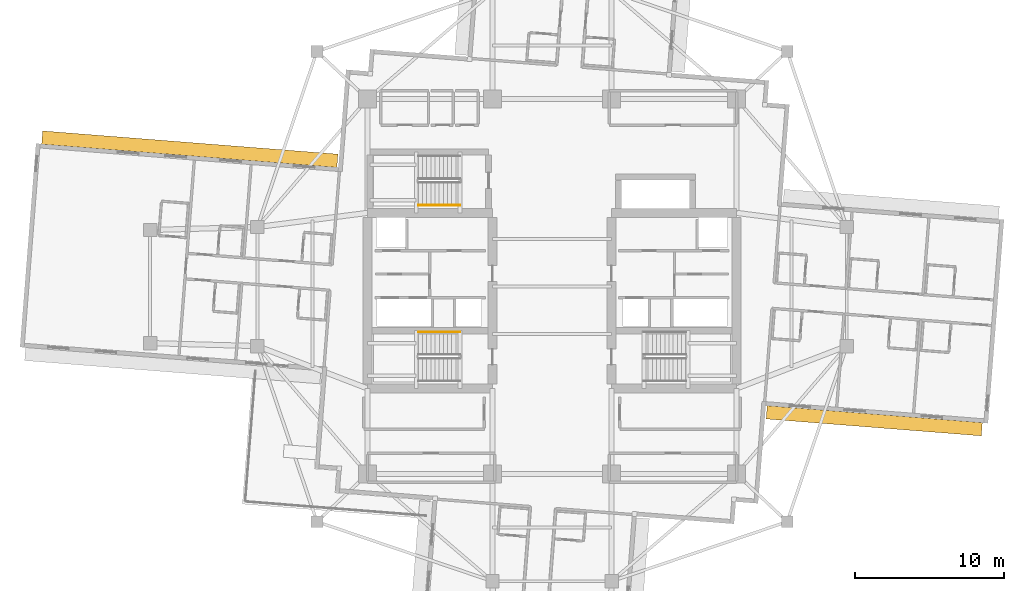
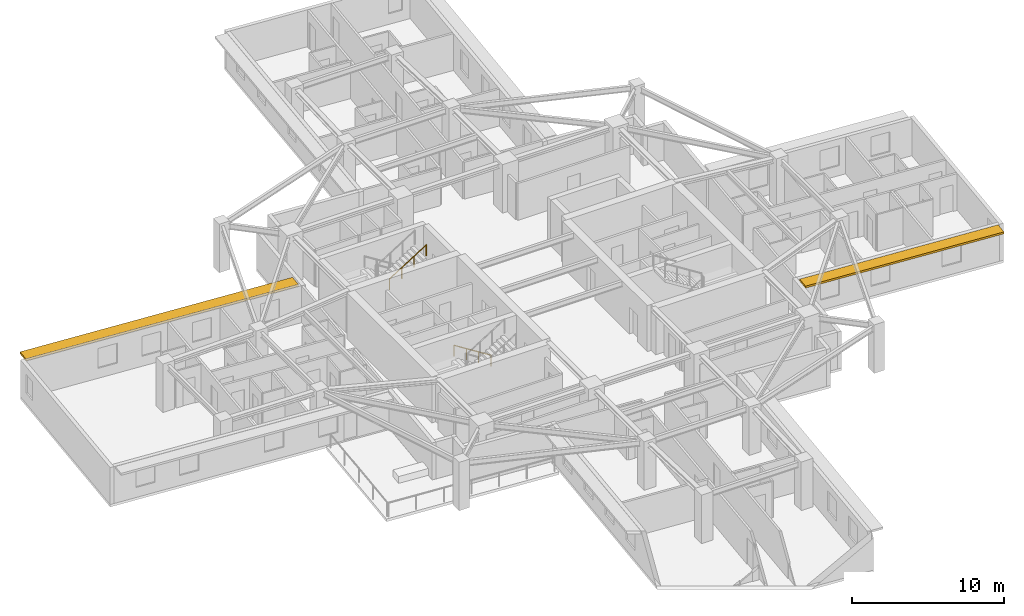
# One storey, part 12 of 14: 2 railings, 2 shading devices.
"""IFC4 building model written with IfcOpenShell, lengths in metres."""

import ifcopenshell
import ifcopenshell.guid

model = None  # the IFC model being written
_history = None  # IfcOwnerHistory: only IFC2X3 demands one
_inside = {}  # id of a spatial element -> (the spatial element, [elements in it])
_under = {}  # id of a project, library or spatial element -> (it, [spatial elements below it])
_declared = {}  # id of a project -> (the project, [libraries it declares])
_typed = {}  # id of a type object -> (the type object, [elements of that type])
_made_of = {}  # id of a material, layer set ... -> (it, [elements and type objects made of it])


def new_model(schema):
    """Start an empty IFC model of exactly this schema.

    Asked for "IFC4X3", IfcOpenShell would pick the latest addendum, in which some entities
    have other attributes; the version numbers below select the first issue.
    IFC2X3 requires an IfcOwnerHistory on every rooted entity: one is made here for all.
    """
    global model, _history
    if schema == "IFC4X3":
        model = ifcopenshell.file(schema_version=(4, 3, 0, 0))
    else:
        model = ifcopenshell.file(schema=schema)
    _inside.clear()
    _under.clear()
    _declared.clear()
    _typed.clear()
    _made_of.clear()
    _history = None
    if model.schema == "IFC2X3":
        org = make("IfcOrganization", Name="unknown")
        user = make(
            "IfcPersonAndOrganization",
            ThePerson=make("IfcPerson", FamilyName="unknown"),
            TheOrganization=org,
        )
        app = make(
            "IfcApplication",
            ApplicationDeveloper=org,
            Version="unknown",
            ApplicationFullName="unknown",
            ApplicationIdentifier="unknown",
        )
        _history = make(
            "IfcOwnerHistory",
            OwningUser=user,
            OwningApplication=app,
            ChangeAction="ADDED",
            CreationDate=0,
        )
    return model


def make(cls, **values):
    """One entity of the class cls with the attributes given. An attribute that is None is left unset."""
    return model.create_entity(
        cls, **{name: value for name, value in values.items() if value is not None}
    )


def rooted(cls, **values):
    """An entity with a GlobalId (a new one), such as an element, a storey or a relation."""
    return make(cls, GlobalId=ifcopenshell.guid.new(), OwnerHistory=_history, **values)


def si_unit(unit_type, name, prefix=None):
    """IfcSIUnit, for example si_unit("LENGTHUNIT", "METRE", prefix="MILLI")."""
    return make("IfcSIUnit", UnitType=unit_type, Prefix=prefix, Name=name)


def assignment(units):
    """IfcUnitAssignment: the units of a project."""
    return None if units is None else make("IfcUnitAssignment", Units=units)


def point(xyz):
    """IfcCartesianPoint."""
    return None if xyz is None else make("IfcCartesianPoint", Coordinates=xyz)


def direction(xyz):
    """IfcDirection."""
    return None if xyz is None else make("IfcDirection", DirectionRatios=xyz)


def frame(location, z_axis=None, x_axis=None):
    """IfcAxis2Placement3D, a coordinate frame: its origin and axes. An axis left out is left unset."""
    return make(
        "IfcAxis2Placement3D",
        Location=point(location),
        Axis=direction(z_axis),
        RefDirection=direction(x_axis),
    )


def frame_2d(location, x_axis=None):
    """IfcAxis2Placement2D, a coordinate frame in the plane: its origin and x axis."""
    return make(
        "IfcAxis2Placement2D", Location=point(location), RefDirection=direction(x_axis)
    )


def origin():
    """The frame at (0, 0, 0) with its axes left unset."""
    return frame((0.0, 0.0, 0.0))


def origin_2d():
    """The frame at (0, 0) in the plane with its x axis left unset."""
    return frame_2d((0.0, 0.0))


def place(relative_to, where):
    """IfcLocalPlacement: puts the frame where relative to a parent placement (None: the world)."""
    return make(
        "IfcLocalPlacement", PlacementRelTo=relative_to, RelativePlacement=where
    )


def context(
    kind, dimensions, precision=None, world=None, true_north=None, identifier=None
):
    """IfcGeometricRepresentationContext, for example the 3D "Model" context."""
    return make(
        "IfcGeometricRepresentationContext",
        ContextIdentifier=identifier,
        ContextType=kind,
        CoordinateSpaceDimension=dimensions,
        Precision=precision,
        WorldCoordinateSystem=world,
        TrueNorth=true_north,
    )


def subcontext(parent, identifier, kind, view, scale=None):
    """IfcGeometricRepresentationSubContext, for example "Body" below "Model"."""
    return make(
        "IfcGeometricRepresentationSubContext",
        ContextIdentifier=identifier,
        ContextType=kind,
        ParentContext=parent,
        TargetScale=scale,
        TargetView=view,
    )


def project(units=None, contexts=None):
    """IfcProject with its units and contexts."""
    return rooted(
        "IfcProject",
        Name="project",
        RepresentationContexts=contexts,
        UnitsInContext=assignment(units),
    )


def spatial(cls, under=None, at=None, **own):
    """A site, building, storey or space (cls), placed at a placement, below another one or the project."""
    s = rooted(cls, ObjectPlacement=at, **own)
    if under is not None:
        _under.setdefault(under.id(), (under, []))[1].append(s)
    return s


def profile(cls, at=None, kind="AREA", **sizes):
    """A parametric profile (cls). Its sizes go by their IFC names, for example OverallWidth=200.0."""
    return make(cls, ProfileType=kind, Position=at, **sizes)


def rectangle(**sizes):
    """IfcRectangleProfileDef."""
    return profile("IfcRectangleProfileDef", **sizes)


def circle(**sizes):
    """IfcCircleProfileDef."""
    return profile("IfcCircleProfileDef", **sizes)


def extrude(swept, where, along, depth):
    """IfcExtrudedAreaSolid: the profile swept, set in the frame where, extruded along a direction by depth."""
    return make(
        "IfcExtrudedAreaSolid",
        SweptArea=swept,
        Position=where,
        ExtrudedDirection=direction(along),
        Depth=depth,
    )


def shape(context_of_items, identifier, shape_type, items):
    """IfcShapeRepresentation: the items that make up one representation, for example the "Body"."""
    return make(
        "IfcShapeRepresentation",
        ContextOfItems=context_of_items,
        RepresentationIdentifier=identifier,
        RepresentationType=shape_type,
        Items=items,
    )


def material(Name=None, Category=None):
    """IfcMaterial."""
    return make("IfcMaterial", Name=Name, Category=Category)


def layer(
    of_material, thickness, ventilated=None, Name=None, Category=None, Priority=None
):
    """IfcMaterialLayer: one layer of a wall or slab, of a material (None: an air gap)."""
    return make(
        "IfcMaterialLayer",
        Material=of_material,
        LayerThickness=thickness,
        IsVentilated=ventilated,
        Name=Name,
        Category=Category,
        Priority=Priority,
    )


def layer_set(layers, Name=None):
    """IfcMaterialLayerSet."""
    return make("IfcMaterialLayerSet", MaterialLayers=layers, LayerSetName=Name)


def made_of(thing, what):
    """Note that an element or type object is made of a material, layer set ...; save() writes the relation."""
    if what is not None:
        _made_of.setdefault(what.id(), (what, []))[1].append(thing)
    return thing


def type_object(cls, material=None, **own):
    """A type object (cls), such as IfcWallType, which elements share."""
    return made_of(rooted(cls, **own), material)


def element(
    cls,
    number,
    at=None,
    inside=None,
    cuts=None,
    type_object=None,
    material=None,
    context=None,
    identifier="Body",
    shape_type=None,
    held_by="IfcProductDefinitionShape",
    body=None,
    shapes=None,
    **own,
):
    """One element of the class cls, such as IfcWall. Its Tag is "e" and its number.

    at: its placement. inside: the storey or other place that contains it. cuts: it is an
    opening in that element (IfcRelVoidsElement). A single representation is given by context,
    identifier, shape_type and body (its items); several are given by shapes. held_by: the class
    of the entity that holds the representations. save() writes the other relations.
    """
    e = rooted(cls, Tag="e%d" % number, ObjectPlacement=at, **own)
    if body is not None:
        shapes = [shape(context, identifier, shape_type, body)]
    if shapes is not None:
        e.Representation = make(held_by, Representations=shapes)
    if inside is not None:
        _inside.setdefault(inside.id(), (inside, []))[1].append(e)
    if cuts is not None:
        rooted(
            "IfcRelVoidsElement", RelatingBuildingElement=cuts, RelatedOpeningElement=e
        )
    if type_object is not None:
        _typed.setdefault(type_object.id(), (type_object, []))[1].append(e)
    return made_of(e, material)


def aggregate(whole, parts):
    """IfcRelAggregates: a whole, such as a stair, and the parts it consists of."""
    return rooted("IfcRelAggregates", RelatingObject=whole, RelatedObjects=parts)


def save(model, path):
    """Write the relations noted so far, then the file.

    IfcRelAggregates (storeys below a building ...), IfcRelContainedInSpatialStructure (elements
    in a storey), IfcRelDefinesByType, IfcRelAssociatesMaterial and IfcRelDeclares: one each for
    every whole, place, type object, material and project.
    """
    for whole, parts in _under.values():
        aggregate(whole, parts)
    for where, things in _inside.values():
        rooted(
            "IfcRelContainedInSpatialStructure",
            RelatedElements=things,
            RelatingStructure=where,
        )
    for kind, things in _typed.values():
        rooted("IfcRelDefinesByType", RelatedObjects=things, RelatingType=kind)
    for what, things in _made_of.values():
        rooted("IfcRelAssociatesMaterial", RelatedObjects=things, RelatingMaterial=what)
    for by, libraries in _declared.values():
        rooted("IfcRelDeclares", RelatingContext=by, RelatedDefinitions=libraries)
    model.write(path)


model = new_model("IFC4")

# Units and contexts
model_context = context("Model", 3, precision=1e-05, world=origin(), true_north=direction((0.0, 1.0)))
body_context = subcontext(model_context, "Body", "Model", "MODEL_VIEW")
ifc_project = project(units=[si_unit("LENGTHUNIT", "METRE"), si_unit("AREAUNIT", "SQUARE_METRE"), si_unit("VOLUMEUNIT", "CUBIC_METRE"), si_unit("PLANEANGLEUNIT", "RADIAN"), si_unit("MASSUNIT", "GRAM", prefix="KILO")], contexts=[model_context])

# Site, building, storey
site_placement = place(None, origin())
site = spatial("IfcSite", under=ifc_project, at=site_placement, CompositionType="ELEMENT")
building_placement = place(site_placement, origin())
building = spatial("IfcBuilding", under=site, at=building_placement, Name="Qingluan Cross Belvedere", CompositionType="ELEMENT")
storey_placement = place(building_placement, frame((0.0, 0.0, 164.39990234375)))
storey = spatial("IfcBuildingStorey", under=building, at=storey_placement, Name="L41", CompositionType="ELEMENT", Elevation=164.39990234375)

# Shading devices
ifc_material_1 = material(Name="Precast concrete C45", Category="concrete")
ifc_layer = layer(ifc_material_1, 0.159912109375, Name="ConcreteSunshadeBand_900")
ifc_layer_set = layer_set([ifc_layer], Name="Precast concrete C45")
shading_device_type = type_object("IfcShadingDeviceType", Name="ConcreteSunshadeBand_900", PredefinedType="USERDEFINED", material=ifc_layer_set)
shading_device_1_placement = place(storey_placement, frame((21.6494140625, -9.016357421875, 2.7900390625), z_axis=(0.0, 0.0, 1.0), x_axis=(0.996917599256, -0.078455721862, 0.0)))
element("IfcShadingDevice", 1, at=shading_device_1_placement, inside=storey, type_object=shading_device_type, Name="Concrete SUNSHADE L41-EA", ObjectType="SUNSHADE", PredefinedType="USERDEFINED", context=body_context, shape_type="SweptSolid", body=[
    extrude(rectangle(XDim=14.5, YDim=0.89990234375, at=origin_2d()), origin(), (0.0, 0.0, 1.0), 0.159912109375),
])
shading_device_2_placement = place(storey_placement, frame((-24.341064453125, 9.228271484375, 2.7900390625), z_axis=(0.0, 0.0, 1.0), x_axis=(-0.996917430244, 0.078457869429, 0.0)))
element("IfcShadingDevice", 2, at=shading_device_2_placement, inside=storey, type_object=shading_device_type, Name="Concrete SUNSHADE L41-WA", ObjectType="SUNSHADE", PredefinedType="USERDEFINED", context=body_context, shape_type="SweptSolid", body=[
    extrude(rectangle(XDim=19.89990234375, YDim=0.89990234375, at=origin_2d()), origin(), (0.0, 0.0, 1.0), 0.159912109375),
])

# Railings
ifc_material_2 = material(Name="Brushed stainless steel tubular handrail", Category="steel")
railing_type = type_object("IfcRailingType", Name="StairPitchHandrail_900", PredefinedType="HANDRAIL", material=ifc_material_2)
railing_1_placement = place(storey_placement, frame((-6.179931640625, -3.050048828125, 0.177490234375)))
element("IfcRailing", 3, at=railing_1_placement, inside=storey, type_object=railing_type, Name="L41 ST1 stair handrail 1", PredefinedType="HANDRAIL", context=body_context, shape_type="SweptSolid", body=[
    extrude(circle(Radius=0.02392578125, at=origin_2d()), frame((0.0, 0.0, 0.8759765625), z_axis=(-0.844908973607, 0.0, 0.534910110503), x_axis=(0.0, -1.0, 0.0)), (0.0, 0.0, 1.0), 3.31396484375),
    extrude(circle(Radius=0.02099609375, at=origin_2d()), origin(), (0.0, 0.0, 1.0), 0.851806640625),
    extrude(circle(Radius=0.02099609375, at=origin_2d()), frame((-0.933349609375, 0.0, 0.5908203125)), (0.0, 0.0, 1.0), 0.851806640625),
    extrude(circle(Radius=0.02099609375, at=origin_2d()), frame((-1.86669921875, 0.0, 1.181884765625)), (0.0, 0.0, 1.0), 0.851806640625),
    extrude(circle(Radius=0.02099609375, at=origin_2d()), frame((-2.800048828125, 0.0, 1.772705078125)), (0.0, 0.0, 1.0), 0.851806640625),
])
railing_2_placement = place(storey_placement, frame((-8.97998046875, 5.469970703125, 2.12744140625)))
element("IfcRailing", 4, at=railing_2_placement, inside=storey, type_object=railing_type, Name="L41 ST3 stair handrail 2", PredefinedType="HANDRAIL", context=body_context, shape_type="SweptSolid", body=[
    extrude(circle(Radius=0.02392578125, at=origin_2d()), frame((0.0, 0.0, 0.8759765625), z_axis=(0.844908973607, 0.0, 0.534910110503), x_axis=(0.0, 1.0, 0.0)), (0.0, 0.0, 1.0), 3.31396484375),
    extrude(circle(Radius=0.02099609375, at=origin_2d()), origin(), (0.0, 0.0, 1.0), 0.851806640625),
    extrude(circle(Radius=0.02099609375, at=origin_2d()), frame((0.933349609375, 0.0, 0.5908203125)), (0.0, 0.0, 1.0), 0.851806640625),
    extrude(circle(Radius=0.02099609375, at=origin_2d()), frame((1.86669921875, 0.0, 1.181884765625)), (0.0, 0.0, 1.0), 0.851806640625),
    extrude(circle(Radius=0.02099609375, at=origin_2d()), frame((2.800048828125, 0.0, 1.772705078125)), (0.0, 0.0, 1.0), 0.851806640625),
])

save(model, "model.ifc")
